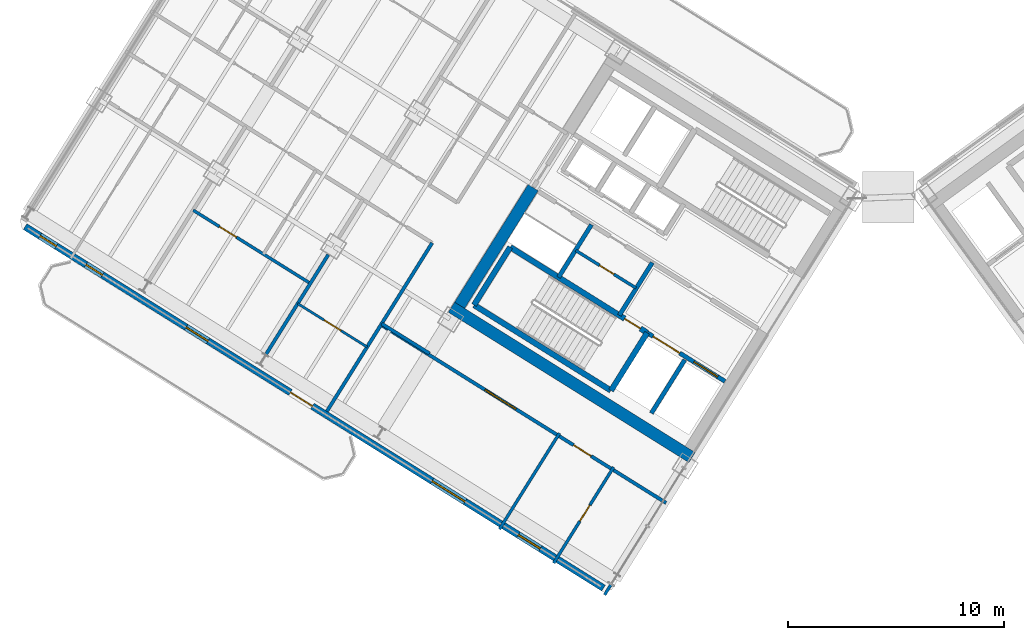
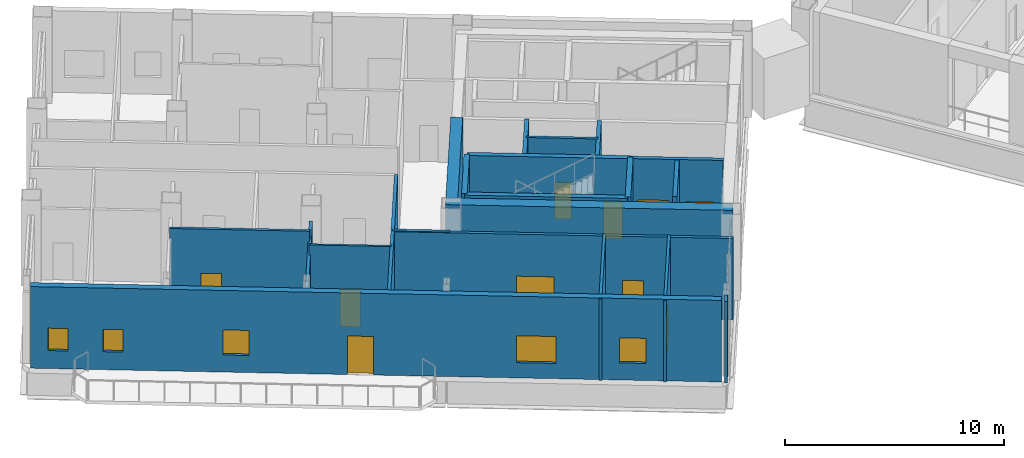
# One storey, part 12 of 22: 21 walls, 10 doors, 5 windows, 15 openings.
"""IFC4 building model written with IfcOpenShell, lengths in metres."""

import ifcopenshell
import ifcopenshell.guid

model = None  # the IFC model being written
_history = None  # IfcOwnerHistory: only IFC2X3 demands one
_inside = {}  # id of a spatial element -> (the spatial element, [elements in it])
_under = {}  # id of a project, library or spatial element -> (it, [spatial elements below it])
_declared = {}  # id of a project -> (the project, [libraries it declares])
_typed = {}  # id of a type object -> (the type object, [elements of that type])
_made_of = {}  # id of a material, layer set ... -> (it, [elements and type objects made of it])


def new_model(schema):
    """Start an empty IFC model of exactly this schema.

    Asked for "IFC4X3", IfcOpenShell would pick the latest addendum, in which some entities
    have other attributes; the version numbers below select the first issue.
    IFC2X3 requires an IfcOwnerHistory on every rooted entity: one is made here for all.
    """
    global model, _history
    if schema == "IFC4X3":
        model = ifcopenshell.file(schema_version=(4, 3, 0, 0))
    else:
        model = ifcopenshell.file(schema=schema)
    _inside.clear()
    _under.clear()
    _declared.clear()
    _typed.clear()
    _made_of.clear()
    _history = None
    if model.schema == "IFC2X3":
        org = make("IfcOrganization", Name="unknown")
        user = make(
            "IfcPersonAndOrganization",
            ThePerson=make("IfcPerson", FamilyName="unknown"),
            TheOrganization=org,
        )
        app = make(
            "IfcApplication",
            ApplicationDeveloper=org,
            Version="unknown",
            ApplicationFullName="unknown",
            ApplicationIdentifier="unknown",
        )
        _history = make(
            "IfcOwnerHistory",
            OwningUser=user,
            OwningApplication=app,
            ChangeAction="ADDED",
            CreationDate=0,
        )
    return model


def make(cls, **values):
    """One entity of the class cls with the attributes given. An attribute that is None is left unset."""
    return model.create_entity(
        cls, **{name: value for name, value in values.items() if value is not None}
    )


def rooted(cls, **values):
    """An entity with a GlobalId (a new one), such as an element, a storey or a relation."""
    return make(cls, GlobalId=ifcopenshell.guid.new(), OwnerHistory=_history, **values)


def si_unit(unit_type, name, prefix=None):
    """IfcSIUnit, for example si_unit("LENGTHUNIT", "METRE", prefix="MILLI")."""
    return make("IfcSIUnit", UnitType=unit_type, Prefix=prefix, Name=name)


def assignment(units):
    """IfcUnitAssignment: the units of a project."""
    return None if units is None else make("IfcUnitAssignment", Units=units)


def point(xyz):
    """IfcCartesianPoint."""
    return None if xyz is None else make("IfcCartesianPoint", Coordinates=xyz)


def direction(xyz):
    """IfcDirection."""
    return None if xyz is None else make("IfcDirection", DirectionRatios=xyz)


def frame(location, z_axis=None, x_axis=None):
    """IfcAxis2Placement3D, a coordinate frame: its origin and axes. An axis left out is left unset."""
    return make(
        "IfcAxis2Placement3D",
        Location=point(location),
        Axis=direction(z_axis),
        RefDirection=direction(x_axis),
    )


def frame_2d(location, x_axis=None):
    """IfcAxis2Placement2D, a coordinate frame in the plane: its origin and x axis."""
    return make(
        "IfcAxis2Placement2D", Location=point(location), RefDirection=direction(x_axis)
    )


def origin():
    """The frame at (0, 0, 0) with its axes left unset."""
    return frame((0.0, 0.0, 0.0))


def place(relative_to, where):
    """IfcLocalPlacement: puts the frame where relative to a parent placement (None: the world)."""
    return make(
        "IfcLocalPlacement", PlacementRelTo=relative_to, RelativePlacement=where
    )


def context(
    kind, dimensions, precision=None, world=None, true_north=None, identifier=None
):
    """IfcGeometricRepresentationContext, for example the 3D "Model" context."""
    return make(
        "IfcGeometricRepresentationContext",
        ContextIdentifier=identifier,
        ContextType=kind,
        CoordinateSpaceDimension=dimensions,
        Precision=precision,
        WorldCoordinateSystem=world,
        TrueNorth=true_north,
    )


def subcontext(parent, identifier, kind, view, scale=None):
    """IfcGeometricRepresentationSubContext, for example "Body" below "Model"."""
    return make(
        "IfcGeometricRepresentationSubContext",
        ContextIdentifier=identifier,
        ContextType=kind,
        ParentContext=parent,
        TargetScale=scale,
        TargetView=view,
    )


def project(units=None, contexts=None):
    """IfcProject with its units and contexts."""
    return rooted(
        "IfcProject",
        Name="project",
        RepresentationContexts=contexts,
        UnitsInContext=assignment(units),
    )


def spatial(cls, under=None, at=None, **own):
    """A site, building, storey or space (cls), placed at a placement, below another one or the project."""
    s = rooted(cls, ObjectPlacement=at, **own)
    if under is not None:
        _under.setdefault(under.id(), (under, []))[1].append(s)
    return s


def profile(cls, at=None, kind="AREA", **sizes):
    """A parametric profile (cls). Its sizes go by their IFC names, for example OverallWidth=200.0."""
    return make(cls, ProfileType=kind, Position=at, **sizes)


def rectangle(**sizes):
    """IfcRectangleProfileDef."""
    return profile("IfcRectangleProfileDef", **sizes)


def extrude(swept, where, along, depth):
    """IfcExtrudedAreaSolid: the profile swept, set in the frame where, extruded along a direction by depth."""
    return make(
        "IfcExtrudedAreaSolid",
        SweptArea=swept,
        Position=where,
        ExtrudedDirection=direction(along),
        Depth=depth,
    )


def shape(context_of_items, identifier, shape_type, items):
    """IfcShapeRepresentation: the items that make up one representation, for example the "Body"."""
    return make(
        "IfcShapeRepresentation",
        ContextOfItems=context_of_items,
        RepresentationIdentifier=identifier,
        RepresentationType=shape_type,
        Items=items,
    )


def source(mapping_origin, context_of_items, identifier, shape_type, items):
    """IfcRepresentationMap: a shape defined once, which mapped items show again and again."""
    return make(
        "IfcRepresentationMap",
        MappingOrigin=mapping_origin,
        MappedRepresentation=shape(context_of_items, identifier, shape_type, items),
    )


def transform(
    local_origin,
    x_axis=None,
    y_axis=None,
    z_axis=None,
    scale=None,
    scale2=None,
    scale3=None,
    uniform=True,
):
    """IfcCartesianTransformationOperator3D, or its non-uniform kind. x_axis, y_axis, z_axis: its Axis1, 2, 3."""
    if uniform:
        return make(
            "IfcCartesianTransformationOperator3D",
            Axis1=direction(x_axis),
            Axis2=direction(y_axis),
            LocalOrigin=point(local_origin),
            Scale=scale,
            Axis3=direction(z_axis),
        )
    return make(
        "IfcCartesianTransformationOperator3DnonUniform",
        Axis1=direction(x_axis),
        Axis2=direction(y_axis),
        LocalOrigin=point(local_origin),
        Scale=scale,
        Axis3=direction(z_axis),
        Scale2=scale2,
        Scale3=scale3,
    )


def mapped(mapping_source, mapping_target):
    """IfcMappedItem: shows the shape of a source again, moved by a transform."""
    return make(
        "IfcMappedItem", MappingSource=mapping_source, MappingTarget=mapping_target
    )


def material(Name=None, Category=None):
    """IfcMaterial."""
    return make("IfcMaterial", Name=Name, Category=Category)


def layer(
    of_material, thickness, ventilated=None, Name=None, Category=None, Priority=None
):
    """IfcMaterialLayer: one layer of a wall or slab, of a material (None: an air gap)."""
    return make(
        "IfcMaterialLayer",
        Material=of_material,
        LayerThickness=thickness,
        IsVentilated=ventilated,
        Name=Name,
        Category=Category,
        Priority=Priority,
    )


def layer_set(layers, Name=None):
    """IfcMaterialLayerSet."""
    return make("IfcMaterialLayerSet", MaterialLayers=layers, LayerSetName=Name)


def made_of(thing, what):
    """Note that an element or type object is made of a material, layer set ...; save() writes the relation."""
    if what is not None:
        _made_of.setdefault(what.id(), (what, []))[1].append(thing)
    return thing


def type_object(cls, material=None, **own):
    """A type object (cls), such as IfcWallType, which elements share."""
    return made_of(rooted(cls, **own), material)


def element(
    cls,
    number,
    at=None,
    inside=None,
    cuts=None,
    type_object=None,
    material=None,
    context=None,
    identifier="Body",
    shape_type=None,
    held_by="IfcProductDefinitionShape",
    body=None,
    shapes=None,
    **own,
):
    """One element of the class cls, such as IfcWall. Its Tag is "e" and its number.

    at: its placement. inside: the storey or other place that contains it. cuts: it is an
    opening in that element (IfcRelVoidsElement). A single representation is given by context,
    identifier, shape_type and body (its items); several are given by shapes. held_by: the class
    of the entity that holds the representations. save() writes the other relations.
    """
    e = rooted(cls, Tag="e%d" % number, ObjectPlacement=at, **own)
    if body is not None:
        shapes = [shape(context, identifier, shape_type, body)]
    if shapes is not None:
        e.Representation = make(held_by, Representations=shapes)
    if inside is not None:
        _inside.setdefault(inside.id(), (inside, []))[1].append(e)
    if cuts is not None:
        rooted(
            "IfcRelVoidsElement", RelatingBuildingElement=cuts, RelatedOpeningElement=e
        )
    if type_object is not None:
        _typed.setdefault(type_object.id(), (type_object, []))[1].append(e)
    return made_of(e, material)


def fill(opening, filler):
    """IfcRelFillsElement: the door or window that sits in an opening."""
    return rooted(
        "IfcRelFillsElement",
        RelatingOpeningElement=opening,
        RelatedBuildingElement=filler,
    )


def aggregate(whole, parts):
    """IfcRelAggregates: a whole, such as a stair, and the parts it consists of."""
    return rooted("IfcRelAggregates", RelatingObject=whole, RelatedObjects=parts)


def save(model, path):
    """Write the relations noted so far, then the file.

    IfcRelAggregates (storeys below a building ...), IfcRelContainedInSpatialStructure (elements
    in a storey), IfcRelDefinesByType, IfcRelAssociatesMaterial and IfcRelDeclares: one each for
    every whole, place, type object, material and project.
    """
    for whole, parts in _under.values():
        aggregate(whole, parts)
    for where, things in _inside.values():
        rooted(
            "IfcRelContainedInSpatialStructure",
            RelatedElements=things,
            RelatingStructure=where,
        )
    for kind, things in _typed.values():
        rooted("IfcRelDefinesByType", RelatedObjects=things, RelatingType=kind)
    for what, things in _made_of.values():
        rooted("IfcRelAssociatesMaterial", RelatedObjects=things, RelatingMaterial=what)
    for by, libraries in _declared.values():
        rooted("IfcRelDeclares", RelatingContext=by, RelatedDefinitions=libraries)
    model.write(path)


model = new_model("IFC4")

# Units and contexts
model_context = context("Model", 3, precision=1e-05, world=origin(), true_north=direction((0.0, 1.0)))
body_context = subcontext(model_context, "Body", "Model", "MODEL_VIEW")
ifc_project = project(units=[si_unit("LENGTHUNIT", "METRE"), si_unit("AREAUNIT", "SQUARE_METRE"), si_unit("VOLUMEUNIT", "CUBIC_METRE"), si_unit("PLANEANGLEUNIT", "RADIAN"), si_unit("MASSUNIT", "GRAM", prefix="KILO")], contexts=[model_context])

# Site, building, storey
site_placement = place(None, origin())
site = spatial("IfcSite", under=ifc_project, at=site_placement, CompositionType="ELEMENT")
building_placement = place(site_placement, origin())
building = spatial("IfcBuilding", under=site, at=building_placement, Name="Tlacorven Tower", CompositionType="ELEMENT")
storey_placement = place(building_placement, frame((0.0, 0.0, 127.800048828125)))
storey = spatial("IfcBuildingStorey", under=building, at=storey_placement, Name="L32", CompositionType="ELEMENT", Elevation=127.800048828125)

# Walls
ifc_material_1 = material(Name="Concrete C60/75", Category="concrete")
ifc_layer_1 = layer(ifc_material_1, 0.550048828125)
ifc_layer_set_1 = layer_set([ifc_layer_1], Name="Concrete C60/75")
wall_type_1 = type_object("IfcWallType", Name="WL-COR-550", PredefinedType="SHEAR", material=ifc_layer_set_1)
wall_1_placement = place(storey_placement, frame((33.3662109375, 12.4765625, 0.0), z_axis=(0.0, 0.0, 1.0), x_axis=(-0.848047359947, 0.529920442413, 0.0)))
element("IfcWall", 1, at=wall_1_placement, inside=storey, type_object=wall_type_1, Name="L32 W core shear wall S2", PredefinedType="SHEAR", context=body_context, shape_type="SweptSolid", body=[
    extrude(rectangle(XDim=13.139892578125, YDim=0.550048828125, at=frame_2d((6.56982421875, 0.0))), origin(), (0.0, 0.0, 1.0), 4.550048828125),
])
wall_2_placement = place(storey_placement, frame((26.006591796875, 24.975830078125, 0.0), z_axis=(0.0, 0.0, 1.0), x_axis=(-0.529923795287, -0.848045264823, 0.0)))
element("IfcWall", 2, at=wall_2_placement, inside=storey, type_object=wall_type_1, Name="L32 W core end wall E2.2", PredefinedType="SHEAR", context=body_context, shape_type="SweptSolid", body=[
    extrude(rectangle(XDim=6.425048828125, YDim=0.550048828125, at=frame_2d((3.21240234375, 0.0))), origin(), (0.0, 0.0, 1.0), 4.550048828125),
])
ifc_material_2 = material(Name="Gypsum plasterboard acoustic partition", Category="gypsum")
ifc_layer_2 = layer(ifc_material_2, 0.159912109375)
ifc_layer_set_2 = layer_set([ifc_layer_2], Name="Gypsum plasterboard acoustic partition")
wall_type_2 = type_object("IfcWallType", Name="WL-DEM-160", PredefinedType="PARTITIONING", material=ifc_layer_set_2)
wall_3_placement = place(storey_placement, frame((21.20556640625, 17.29248046875, 0.0), z_axis=(0.0, 0.0, 1.0), x_axis=(-0.848050851465, 0.529914854792, 0.0)))
element("IfcWall", 3, at=wall_3_placement, inside=storey, type_object=wall_type_2, Name="L32 partition 47", PredefinedType="PARTITIONING", context=body_context, shape_type="SweptSolid", body=[
    extrude(rectangle(XDim=2.60986328125, YDim=0.159912109375, at=frame_2d((1.304931640625, 0.0))), origin(), (0.0, 0.0, 1.0), 4.5400390625),
])
wall_4_placement = place(storey_placement, frame((21.3291015625, 22.41552734375, 0.0), z_axis=(0.0, 0.0, 1.0), x_axis=(-0.529920220799, -0.848047498427, 0.0)))
element("IfcWall", 4, at=wall_4_placement, inside=storey, type_object=wall_type_2, Name="L32 partition 49", PredefinedType="PARTITIONING", context=body_context, shape_type="SweptSolid", body=[
    extrude(rectangle(XDim=9.199951171875, YDim=0.159912109375, at=frame_2d((4.60009765625, 0.0))), origin(), (0.0, 0.0, 1.0), 4.5400390625),
])
wall_5_placement = place(storey_placement, frame((16.518798828125, 21.86962890625, 0.0), z_axis=(0.0, 0.0, 1.0), x_axis=(-0.529922447305, -0.848046107144, 0.0)))
element("IfcWall", 5, at=wall_5_placement, inside=storey, type_object=wall_type_2, Name="L32 WN Demising Wall 1", PredefinedType="PARTITIONING", context=body_context, shape_type="SweptSolid", body=[
    extrude(rectangle(XDim=5.451171875, YDim=0.159912109375, at=frame_2d((2.7255859375, 0.0))), origin(), (0.0, 0.0, 1.0), 3.974853515625),
])

# Wall, openings, doors
wall_6_placement = place(storey_placement, frame((32.164306640625, 10.373779296875, 0.0), z_axis=(0.0, 0.0, 1.0), x_axis=(-0.848044107957, 0.529925646633, 0.0)))
wall_6 = element("IfcWall", 6, at=wall_6_placement, inside=storey, type_object=wall_type_2, Name="L32 partition 71", PredefinedType="PARTITIONING", context=body_context, shape_type="SweptSolid", body=[
    extrude(rectangle(XDim=15.570068359375, YDim=0.159912109375, at=frame_2d((7.78515625, 0.0))), origin(), (0.0, 0.0, 1.0), 4.5400390625),
])
opening_1_placement = place(wall_6_placement, frame((4.10009765625, 0.0, 0.0)))
opening_1 = element("IfcOpeningElement", 7, at=opening_1_placement, cuts=wall_6, Name="Opening D14", PredefinedType="OPENING", context=body_context, shape_type="SweptSolid", body=[
    extrude(rectangle(XDim=0.9599609375, YDim=2.080078125, at=frame_2d((0.47998046875, 1.0400390625))), frame((0.0, 0.08984375, 0.0), z_axis=(0.0, -1.0, 0.0), x_axis=(1.0, 0.0, 0.0)), (0.0, 0.0, 1.0), 0.179931640625),
])
opening_2_placement = place(wall_6_placement, frame((8.199951171875, 0.0, 0.0)))
opening_2 = element("IfcOpeningElement", 8, at=opening_2_placement, cuts=wall_6, Name="Opening D17", PredefinedType="OPENING", context=body_context, shape_type="SweptSolid", body=[
    extrude(rectangle(XDim=1.699951171875, YDim=2.199951171875, at=frame_2d((0.85009765625, 1.10009765625))), frame((0.0, 0.08984375, 0.0), z_axis=(0.0, -1.0, 0.0), x_axis=(1.0, 0.0, 0.0)), (0.0, 0.0, 1.0), 0.179931640625),
])
ifc_material_3 = material(Name="Fire-rated steel door assembly", Category="steel")
door_type_1 = type_object("IfcDoorType", Name="DR-COM-HALL-1700", OperationType="DOUBLE_DOOR_SINGLE_SWING", PredefinedType="DOOR", material=ifc_material_3)
shared_shape_1 = source(origin(), body_context, "Body", "SweptSolid", [
    extrude(rectangle(XDim=1.699951171875, YDim=2.199951171875, at=frame_2d((0.85009765625, 1.10009765625))), frame((0.0, 0.02490234375, 0.0), z_axis=(0.0, -1.0, 0.0), x_axis=(1.0, 0.0, 0.0)), (0.0, 0.0, 1.0), 0.050048828125),
])
door_1_placement = place(opening_2_placement, origin())
door_1 = element("IfcDoor", 9, at=door_1_placement, inside=storey, type_object=door_type_1, Name="L32 door 047", OperationType="DOUBLE_DOOR_SINGLE_SWING", OverallHeight=2.199951171875, OverallWidth=1.699951171875, PredefinedType="DOOR", context=body_context, shape_type="MappedRepresentation", body=[
    mapped(shared_shape_1, transform((0.0, 0.0, 0.0), scale=1.0)),
])
fill(opening_2, door_1)
ifc_material_4 = material(Name="Powder-coated aluminium and timber door", Category="wood")
door_type_2 = type_object("IfcDoorType", Name="DR-INT-AWC-0960", OperationType="NOTDEFINED", PredefinedType="DOOR", material=ifc_material_4)
shared_shape_2 = source(origin(), body_context, "Body", "SweptSolid", [
    extrude(rectangle(XDim=0.9599609375, YDim=2.080078125, at=frame_2d((0.47998046875, 1.0400390625))), frame((0.0, 0.02490234375, 0.0), z_axis=(0.0, -1.0, 0.0), x_axis=(1.0, 0.0, 0.0)), (0.0, 0.0, 1.0), 0.050048828125),
])
door_2_placement = place(opening_1_placement, origin())
door_2 = element("IfcDoor", 10, at=door_2_placement, inside=storey, type_object=door_type_2, Name="L32 door 046", OperationType="SINGLE_SWING_LEFT", OverallHeight=2.080078125, OverallWidth=0.9599609375, PredefinedType="DOOR", context=body_context, shape_type="MappedRepresentation", body=[
    mapped(shared_shape_2, transform((0.0, 0.0, 0.0), scale=1.0)),
])
fill(opening_1, door_2)

# Wall, openings, door, windows
ifc_material_5 = material(Name="Precast concrete C45/55", Category="concrete")
ifc_layer_3 = layer(ifc_material_5, 0.320068359375)
ifc_layer_set_3 = layer_set([ifc_layer_3], Name="Precast concrete C45/55")
wall_type_3 = type_object("IfcWallType", Name="WL-EXT-320", PredefinedType="STANDARD", material=ifc_layer_set_3)
wall_7_placement = place(storey_placement, frame((29.267822265625, 6.429443359375, 0.0), z_axis=(0.0, 0.0, 1.0), x_axis=(-0.848049971435, 0.529916263149, 0.0)))
wall_7 = element("IfcWall", 11, at=wall_7_placement, inside=storey, type_object=wall_type_3, Name="L32 Masonry-Frame Recessed Facade Wall 1", PredefinedType="STANDARD", context=body_context, shape_type="SweptSolid", body=[
    extrude(rectangle(XDim=31.587646484375, YDim=0.320068359375, at=frame_2d((15.7939453125, 0.0))), origin(), (0.0, 0.0, 1.0), 4.550048828125),
])
opening_3_placement = place(wall_7_placement, frame((15.901123046875, 0.0, 0.0)))
opening_3 = element("IfcOpeningElement", 12, at=opening_3_placement, cuts=wall_7, Name="Opening D05", PredefinedType="OPENING", context=body_context, shape_type="SweptSolid", body=[
    extrude(rectangle(XDim=1.199951171875, YDim=2.14990234375, at=frame_2d((0.60009765625, 1.074951171875))), frame((0.0, 0.169921875, 0.0), z_axis=(0.0, -1.0, 0.0), x_axis=(1.0, 0.0, 0.0)), (0.0, 0.0, 1.0), 0.340087890625),
])
opening_4_placement = place(wall_7_placement, frame((3.45361328125, 0.0, 0.949951171875)))
opening_4 = element("IfcOpeningElement", 13, at=opening_4_placement, cuts=wall_7, Name="Opening WN03", PredefinedType="OPENING", context=body_context, shape_type="SweptSolid", body=[
    extrude(rectangle(XDim=1.199951171875, YDim=1.39990234375, at=frame_2d((0.60009765625, 0.699951171875))), frame((0.0, 0.169921875, 0.0), z_axis=(0.0, -1.0, 0.0), x_axis=(1.0, 0.0, 0.0)), (0.0, 0.0, 1.0), 0.340087890625),
])
opening_5_placement = place(wall_7_placement, frame((7.561279296875, 0.0, 0.85009765625)))
opening_5 = element("IfcOpeningElement", 14, at=opening_5_placement, cuts=wall_7, Name="Opening WN01", PredefinedType="OPENING", context=body_context, shape_type="SweptSolid", body=[
    extrude(rectangle(XDim=1.800048828125, YDim=1.5, at=frame_2d((0.89990234375, 0.75))), frame((0.0, 0.169921875, 0.0), z_axis=(0.0, -1.0, 0.0), x_axis=(1.0, 0.0, 0.0)), (0.0, 0.0, 1.0), 0.340087890625),
])
opening_6_placement = place(wall_7_placement, frame((21.59375, 0.0, 0.949951171875)))
opening_6 = element("IfcOpeningElement", 15, at=opening_6_placement, cuts=wall_7, Name="Opening WN03", PredefinedType="OPENING", context=body_context, shape_type="SweptSolid", body=[
    extrude(rectangle(XDim=1.199951171875, YDim=1.39990234375, at=frame_2d((0.60009765625, 0.699951171875))), frame((0.0, 0.169921875, 0.0), z_axis=(0.0, -1.0, 0.0), x_axis=(1.0, 0.0, 0.0)), (0.0, 0.0, 1.0), 0.340087890625),
])
opening_7_placement = place(wall_7_placement, frame((29.878173828125, 0.0, 1.0)))
opening_7 = element("IfcOpeningElement", 16, at=opening_7_placement, cuts=wall_7, Name="Opening WN05", PredefinedType="OPENING", context=body_context, shape_type="SweptSolid", body=[
    extrude(rectangle(XDim=0.89990234375, YDim=1.25, at=frame_2d((0.449951171875, 0.625))), frame((0.0, 0.169921875, 0.0), z_axis=(0.0, -1.0, 0.0), x_axis=(1.0, 0.0, 0.0)), (0.0, 0.0, 1.0), 0.340087890625),
])
opening_8_placement = place(wall_7_placement, frame((27.36376953125, 0.0, 1.0)))
opening_8 = element("IfcOpeningElement", 17, at=opening_8_placement, cuts=wall_7, Name="Opening WN05", PredefinedType="OPENING", context=body_context, shape_type="SweptSolid", body=[
    extrude(rectangle(XDim=0.89990234375, YDim=1.25, at=frame_2d((0.449951171875, 0.625))), frame((0.0, 0.169921875, 0.0), z_axis=(0.0, -1.0, 0.0), x_axis=(1.0, 0.0, 0.0)), (0.0, 0.0, 1.0), 0.340087890625),
])
door_type_3 = type_object("IfcDoorType", Name="DR-EXT-BALC-1200", OperationType="NOTDEFINED", PredefinedType="DOOR", material=ifc_material_4)
shared_shape_3 = source(origin(), body_context, "Body", "SweptSolid", [
    extrude(rectangle(XDim=1.199951171875, YDim=2.14990234375, at=frame_2d((0.60009765625, 1.074951171875))), frame((0.0, 0.02490234375, 0.0), z_axis=(0.0, -1.0, 0.0), x_axis=(1.0, 0.0, 0.0)), (0.0, 0.0, 1.0), 0.050048828125),
])
door_3_placement = place(opening_3_placement, origin())
door_3 = element("IfcDoor", 18, at=door_3_placement, inside=storey, type_object=door_type_3, Name="L32 Outdoor Access Door BAL-L32-W-OUT", OperationType="SINGLE_SWING_LEFT", OverallHeight=2.14990234375, OverallWidth=1.199951171875, PredefinedType="DOOR", context=body_context, shape_type="MappedRepresentation", body=[
    mapped(shared_shape_3, transform((0.0, 0.0, 0.0), scale=1.0)),
])
fill(opening_3, door_3)
ifc_material_6 = material(Name="Dark solar low-E double glazing in anodised aluminium frame", Category="aluminium")
window_type_1 = type_object("IfcWindowType", Name="WN-APT-1200X1500", PartitioningType="SINGLE_PANEL", PredefinedType="WINDOW", material=ifc_material_6)
shared_shape_4 = source(origin(), body_context, "Body", "SweptSolid", [
    extrude(rectangle(XDim=1.199951171875, YDim=1.39990234375, at=frame_2d((0.60009765625, 0.699951171875))), frame((0.0, 0.030029296875, 0.0), z_axis=(0.0, -1.0, 0.0), x_axis=(1.0, 0.0, 0.0)), (0.0, 0.0, 1.0), 0.06005859375),
])
window_1_placement = place(opening_4_placement, origin())
window_1 = element("IfcWindow", 19, at=window_1_placement, inside=storey, type_object=window_type_1, Name="L32 Recessed Masonry-Frame Window L32-01.1", OverallHeight=1.39990234375, OverallWidth=1.199951171875, PartitioningType="SINGLE_PANEL", PredefinedType="WINDOW", context=body_context, shape_type="MappedRepresentation", body=[
    mapped(shared_shape_4, transform((0.0, 0.0, 0.0), scale=1.0)),
])
fill(opening_4, window_1)
window_2_placement = place(opening_6_placement, origin())
window_2 = element("IfcWindow", 20, at=window_2_placement, inside=storey, type_object=window_type_1, Name="L32 Recessed Masonry-Frame Window L32-01.3", OverallHeight=1.39990234375, OverallWidth=1.199951171875, PartitioningType="SINGLE_PANEL", PredefinedType="WINDOW", context=body_context, shape_type="MappedRepresentation", body=[
    mapped(shared_shape_4, transform((0.0, 0.0, 0.0), scale=1.0)),
])
fill(opening_6, window_2)
window_type_2 = type_object("IfcWindowType", Name="WN-APT-1800X1650", PartitioningType="SINGLE_PANEL", PredefinedType="WINDOW", material=ifc_material_6)
shared_shape_5 = source(origin(), body_context, "Body", "SweptSolid", [
    extrude(rectangle(XDim=1.800048828125, YDim=1.5, at=frame_2d((0.89990234375, 0.75))), frame((0.0, 0.030029296875, 0.0), z_axis=(0.0, -1.0, 0.0), x_axis=(1.0, 0.0, 0.0)), (0.0, 0.0, 1.0), 0.06005859375),
])
window_3_placement = place(opening_5_placement, origin())
window_3 = element("IfcWindow", 21, at=window_3_placement, inside=storey, type_object=window_type_2, Name="L32 Recessed Masonry-Frame Window L32-01.2", OverallHeight=1.5, OverallWidth=1.800048828125, PartitioningType="SINGLE_PANEL", PredefinedType="WINDOW", context=body_context, shape_type="MappedRepresentation", body=[
    mapped(shared_shape_5, transform((0.0, 0.0, 0.0), scale=1.0)),
])
fill(opening_5, window_3)
window_type_3 = type_object("IfcWindowType", Name="WN-APT-0900X1350", PartitioningType="SINGLE_PANEL", PredefinedType="WINDOW", material=ifc_material_6)
shared_shape_6 = source(origin(), body_context, "Body", "SweptSolid", [
    extrude(rectangle(XDim=0.89990234375, YDim=1.25, at=frame_2d((0.449951171875, 0.625))), frame((0.0, 0.030029296875, 0.0), z_axis=(0.0, -1.0, 0.0), x_axis=(1.0, 0.0, 0.0)), (0.0, 0.0, 1.0), 0.06005859375),
])
window_4_placement = place(opening_7_placement, origin())
window_4 = element("IfcWindow", 22, at=window_4_placement, inside=storey, type_object=window_type_3, Name="L32 Dwelling Daylight Window L32-U02-LIV", OverallHeight=1.25, OverallWidth=0.89990234375, PartitioningType="SINGLE_PANEL", PredefinedType="WINDOW", context=body_context, shape_type="MappedRepresentation", body=[
    mapped(shared_shape_6, transform((0.0, 0.0, 0.0), scale=1.0)),
])
fill(opening_7, window_4)
window_5_placement = place(opening_8_placement, origin())
window_5 = element("IfcWindow", 23, at=window_5_placement, inside=storey, type_object=window_type_3, Name="L32 Dwelling Daylight Window L32-U02-BD1", OverallHeight=1.25, OverallWidth=0.89990234375, PartitioningType="SINGLE_PANEL", PredefinedType="WINDOW", context=body_context, shape_type="MappedRepresentation", body=[
    mapped(shared_shape_6, transform((0.0, 0.0, 0.0), scale=1.0)),
])
fill(opening_8, window_5)

# Wall, opening, door
ifc_material_7 = material(Name="Gypsum plasterboard partition", Category="gypsum")
ifc_layer_4 = layer(ifc_material_7, 0.110107421875)
ifc_layer_set_4 = layer_set([ifc_layer_4], Name="Gypsum plasterboard partition")
wall_type_4 = type_object("IfcWallType", Name="WL-INT-110", PredefinedType="PARTITIONING", material=ifc_layer_set_4)
wall_8_placement = place(storey_placement, frame((18.318115234375, 17.596923828125, 0.0), z_axis=(0.0, 0.0, 1.0), x_axis=(-0.848059820872, 0.529900500304, 0.0)))
wall_8 = element("IfcWall", 24, at=wall_8_placement, inside=storey, type_object=wall_type_4, Name="L32 partition 54", PredefinedType="PARTITIONING", context=body_context, shape_type="SweptSolid", body=[
    extrude(rectangle(XDim=3.7900390625, YDim=0.110107421875, at=frame_2d((1.89501953125, 0.0))), origin(), (0.0, 0.0, 1.0), 4.5400390625),
])
opening_9_placement = place(wall_8_placement, frame((1.43505859375, 0.0, 0.0)))
opening_9 = element("IfcOpeningElement", 25, at=opening_9_placement, cuts=wall_8, Name="Opening D12", PredefinedType="OPENING", context=body_context, shape_type="SweptSolid", body=[
    extrude(rectangle(XDim=0.919921875, YDim=2.080078125, at=frame_2d((0.4599609375, 1.0400390625))), frame((0.0, 0.06494140625, 0.0), z_axis=(0.0, -1.0, 0.0), x_axis=(1.0, 0.0, 0.0)), (0.0, 0.0, 1.0), 0.130126953125),
])
door_type_4 = type_object("IfcDoorType", Name="DR-INT-ROOM-0920", OperationType="NOTDEFINED", PredefinedType="DOOR", material=ifc_material_4)
shared_shape_7 = source(origin(), body_context, "Body", "SweptSolid", [
    extrude(rectangle(XDim=0.919921875, YDim=2.080078125, at=frame_2d((0.4599609375, 1.0400390625))), frame((0.0, 0.02490234375, 0.0), z_axis=(0.0, -1.0, 0.0), x_axis=(1.0, 0.0, 0.0)), (0.0, 0.0, 1.0), 0.050048828125),
])
door_4_placement = place(opening_9_placement, origin())
door_4 = element("IfcDoor", 26, at=door_4_placement, inside=storey, type_object=door_type_4, Name="L32 door 026", OperationType="SINGLE_SWING_LEFT", OverallHeight=2.080078125, OverallWidth=0.919921875, PredefinedType="DOOR", context=body_context, shape_type="MappedRepresentation", body=[
    mapped(shared_shape_7, transform((0.0, 0.0, 0.0), scale=1.0)),
])
fill(opening_9, door_4)

ifc_material_8 = material(Name="Moisture-resistant gypsum plumbing wall", Category="gypsum")
ifc_layer_5 = layer(ifc_material_8, 0.139892578125)
ifc_layer_set_5 = layer_set([ifc_layer_5], Name="Moisture-resistant gypsum plumbing wall")
wall_type_5 = type_object("IfcWallType", Name="WL-PLM-140", PredefinedType="PLUMBINGWALL", material=ifc_layer_set_5)
wall_9_placement = place(storey_placement, frame((30.766357421875, 20.3271484375, 0.0), z_axis=(0.0, 0.0, 1.0), x_axis=(-0.848052663127, 0.529911955482, 0.0)))
wall_9 = element("IfcWall", 27, at=wall_9_placement, inside=storey, type_object=wall_type_5, Name="L32 partition 23", PredefinedType="PLUMBINGWALL", context=body_context, shape_type="SweptSolid", body=[
    extrude(rectangle(XDim=3.27978515625, YDim=0.139892578125, at=frame_2d((1.639892578125, 0.0))), origin(), (0.0, 0.0, 1.0), 4.5400390625),
])
opening_10_placement = place(wall_9_placement, frame((1.199951171875, 0.0, 0.0)))
opening_10 = element("IfcOpeningElement", 28, at=opening_10_placement, cuts=wall_9, Name="Opening D22", PredefinedType="OPENING", context=body_context, shape_type="SweptSolid", body=[
    extrude(rectangle(XDim=0.780029296875, YDim=2.050048828125, at=frame_2d((0.39013671875, 1.02490234375))), frame((0.0, 0.080078125, 0.0), z_axis=(0.0, -1.0, 0.0), x_axis=(1.0, 0.0, 0.0)), (0.0, 0.0, 1.0), 0.159912109375),
])
door_type_5 = type_object("IfcDoorType", Name="DR-INT-WET-0780", OperationType="NOTDEFINED", PredefinedType="DOOR", material=ifc_material_4)
shared_shape_8 = source(origin(), body_context, "Body", "SweptSolid", [
    extrude(rectangle(XDim=0.780029296875, YDim=2.050048828125, at=frame_2d((0.39013671875, 1.02490234375))), frame((0.0, 0.02490234375, 0.0), z_axis=(0.0, -1.0, 0.0), x_axis=(1.0, 0.0, 0.0)), (0.0, 0.0, 1.0), 0.050048828125),
])
door_5_placement = place(opening_10_placement, origin())
door_5 = element("IfcDoor", 29, at=door_5_placement, inside=storey, type_object=door_type_5, Name="L32 door 011", OperationType="SINGLE_SWING_LEFT", OverallHeight=2.050048828125, OverallWidth=0.780029296875, PredefinedType="DOOR", context=body_context, shape_type="MappedRepresentation", body=[
    mapped(shared_shape_8, transform((0.0, 0.0, 0.0), scale=1.0)),
])
fill(opening_10, door_5)

wall_10_placement = place(storey_placement, frame((15.68798828125, 20.539794921875, 0.0), z_axis=(0.0, 0.0, 1.0), x_axis=(-0.848049732085, 0.529916646191, 0.0)))
wall_10 = element("IfcWall", 30, at=wall_10_placement, inside=storey, type_object=wall_type_5, Name="L32 partition 56", PredefinedType="PLUMBINGWALL", context=body_context, shape_type="SweptSolid", body=[
    extrude(rectangle(XDim=6.400146484375, YDim=0.139892578125, at=frame_2d((3.2001953125, 0.0))), origin(), (0.0, 0.0, 1.0), 4.5400390625),
])
opening_11_placement = place(wall_10_placement, frame((4.0400390625, 0.0, 0.0)))
opening_11 = element("IfcOpeningElement", 31, at=opening_11_placement, cuts=wall_10, Name="Opening D12", PredefinedType="OPENING", context=body_context, shape_type="SweptSolid", body=[
    extrude(rectangle(XDim=0.919921875, YDim=2.080078125, at=frame_2d((0.4599609375, 1.0400390625))), frame((0.0, 0.080078125, 0.0), z_axis=(0.0, -1.0, 0.0), x_axis=(1.0, 0.0, 0.0)), (0.0, 0.0, 1.0), 0.159912109375),
])
door_6_placement = place(opening_11_placement, origin())
door_6 = element("IfcDoor", 32, at=door_6_placement, inside=storey, type_object=door_type_4, Name="L32 door 028", OperationType="SINGLE_SWING_LEFT", OverallHeight=2.080078125, OverallWidth=0.919921875, PredefinedType="DOOR", context=body_context, shape_type="MappedRepresentation", body=[
    mapped(shared_shape_7, transform((0.0, 0.0, 0.0), scale=1.0)),
])
fill(opening_11, door_6)

wall_11_placement = place(storey_placement, frame((29.734619140625, 12.03369140625, 0.0), z_axis=(0.0, 0.0, 1.0), x_axis=(-0.529890046623, -0.848066352646, 0.0)))
wall_11 = element("IfcWall", 33, at=wall_11_placement, inside=storey, type_object=wall_type_5, Name="L32 partition 73", PredefinedType="PLUMBINGWALL", context=body_context, shape_type="SweptSolid", body=[
    extrude(rectangle(XDim=5.239990234375, YDim=0.139892578125, at=frame_2d((2.6201171875, 0.0))), origin(), (0.0, 0.0, 1.0), 4.5400390625),
])
opening_12_placement = place(wall_11_placement, frame((2.070068359375, 0.0, 0.0)))
opening_12 = element("IfcOpeningElement", 34, at=opening_12_placement, cuts=wall_11, Name="Opening D13", PredefinedType="OPENING", context=body_context, shape_type="SweptSolid", body=[
    extrude(rectangle(XDim=0.8798828125, YDim=2.080078125, at=frame_2d((0.43994140625, 1.0400390625))), frame((0.0, 0.080078125, 0.0), z_axis=(0.0, -1.0, 0.0), x_axis=(1.0, 0.0, 0.0)), (0.0, 0.0, 1.0), 0.159912109375),
])
door_type_6 = type_object("IfcDoorType", Name="DR-INT-WET-0880", OperationType="NOTDEFINED", PredefinedType="DOOR", material=ifc_material_4)
shared_shape_9 = source(origin(), body_context, "Body", "SweptSolid", [
    extrude(rectangle(XDim=0.8798828125, YDim=2.080078125, at=frame_2d((0.43994140625, 1.0400390625))), frame((0.0, 0.02490234375, 0.0), z_axis=(0.0, -1.0, 0.0), x_axis=(1.0, 0.0, 0.0)), (0.0, 0.0, 1.0), 0.050048828125),
])
door_7_placement = place(opening_12_placement, origin())
door_7 = element("IfcDoor", 35, at=door_7_placement, inside=storey, type_object=door_type_6, Name="L32 door 045", OperationType="SINGLE_SWING_RIGHT", OverallHeight=2.080078125, OverallWidth=0.8798828125, PredefinedType="DOOR", context=body_context, shape_type="MappedRepresentation", body=[
    mapped(shared_shape_9, transform((0.0, 0.0, 0.0), scale=1.0)),
])
fill(opening_12, door_7)

# Walls
wall_12_placement = place(storey_placement, frame((29.608642578125, 6.585693359375, 0.0), z_axis=(0.0, 0.0, 1.0), x_axis=(-0.530117963224, -0.847923902875, 0.0)))
element("IfcWall", 36, at=wall_12_placement, inside=storey, type_object=wall_type_5, Name="L32 partition 74", PredefinedType="PLUMBINGWALL", context=body_context, shape_type="SweptSolid", body=[
    extrude(rectangle(XDim=0.55322265625, YDim=0.139892578125, at=frame_2d((0.276611328125, 0.0))), origin(), (0.0, 0.0, 1.0), 4.5400390625),
])
wall_13_placement = place(storey_placement, frame((27.224609375, 13.60205078125, 0.0), z_axis=(0.0, 0.0, 1.0), x_axis=(-0.529944493599, -0.848032330577, 0.0)))
element("IfcWall", 37, at=wall_13_placement, inside=storey, type_object=wall_type_5, Name="L32 partition 75", PredefinedType="PLUMBINGWALL", context=body_context, shape_type="SweptSolid", body=[
    extrude(rectangle(XDim=5.239990234375, YDim=0.139892578125, at=frame_2d((2.6201171875, 0.0))), origin(), (0.0, 0.0, 1.0), 4.5400390625),
])

# Wall, openings, doors
ifc_material_9 = material(Name="Concrete C40/50", Category="concrete")
ifc_layer_6 = layer(ifc_material_9, 0.199951171875)
ifc_layer_set_6 = layer_set([ifc_layer_6], Name="Concrete C40/50")
wall_type_6 = type_object("IfcWallType", Name="WL-SHF-200", PredefinedType="STANDARD", material=ifc_layer_set_6)
wall_14_placement = place(storey_placement, frame((34.890625, 16.0048828125, 0.0), z_axis=(0.0, 0.0, 1.0), x_axis=(-0.848062873452, 0.529895614884, 0.0)))
wall_14 = element("IfcWall", 38, at=wall_14_placement, inside=storey, type_object=wall_type_6, Name="L32 Core W Firefighting Lift Shaft Front Wall", PredefinedType="STANDARD", context=body_context, shape_type="SweptSolid", body=[
    extrude(rectangle(XDim=4.248046875, YDim=0.199951171875, at=frame_2d((2.1240234375, 0.0))), origin(), (0.0, 0.0, 1.0), 4.5400390625),
])
opening_13_placement = place(wall_14_placement, frame((0.39794921875, 0.0, 0.0)))
opening_13 = element("IfcOpeningElement", 39, at=opening_13_placement, cuts=wall_14, Name="Opening LD03", PredefinedType="OPENING", context=body_context, shape_type="SweptSolid", body=[
    extrude(rectangle(XDim=1.300048828125, YDim=2.199951171875, at=frame_2d((0.64990234375, 1.10009765625))), frame((0.0, 0.10986328125, 0.0), z_axis=(0.0, -1.0, 0.0), x_axis=(1.0, 0.0, 0.0)), (0.0, 0.0, 1.0), 0.219970703125),
])
opening_14_placement = place(wall_14_placement, frame((2.472900390625, 0.0, 0.0)))
opening_14 = element("IfcOpeningElement", 40, at=opening_14_placement, cuts=wall_14, Name="Opening LD04", PredefinedType="OPENING", context=body_context, shape_type="SweptSolid", body=[
    extrude(rectangle(XDim=1.449951171875, YDim=2.25, at=frame_2d((0.72509765625, 1.125))), frame((0.0, 0.10986328125, 0.0), z_axis=(0.0, -1.0, 0.0), x_axis=(1.0, 0.0, 0.0)), (0.0, 0.0, 1.0), 0.219970703125),
])
door_type_7 = type_object("IfcDoorType", Name="DR-LFT-SLID-1300", OperationType="DOUBLE_DOOR_SLIDING", PredefinedType="DOOR", material=ifc_material_3)
shared_shape_10 = source(origin(), body_context, "Body", "SweptSolid", [
    extrude(rectangle(XDim=1.300048828125, YDim=2.199951171875, at=frame_2d((0.64990234375, 1.10009765625))), frame((0.0, 0.02490234375, 0.0), z_axis=(0.0, -1.0, 0.0), x_axis=(1.0, 0.0, 0.0)), (0.0, 0.0, 1.0), 0.050048828125),
])
door_8_placement = place(opening_13_placement, origin())
door_8 = element("IfcDoor", 41, at=door_8_placement, inside=storey, type_object=door_type_7, Name="L32 Lift FFL-W1 Sliding Landing Door", OperationType="DOUBLE_DOOR_SLIDING", OverallHeight=2.199951171875, OverallWidth=1.300048828125, PredefinedType="DOOR", context=body_context, shape_type="MappedRepresentation", body=[
    mapped(shared_shape_10, transform((0.0, 0.0, 0.0), scale=1.0)),
])
fill(opening_13, door_8)
door_type_8 = type_object("IfcDoorType", Name="DR-LFT-SLID-1450", OperationType="DOUBLE_DOOR_SLIDING", PredefinedType="DOOR", material=ifc_material_3)
shared_shape_11 = source(origin(), body_context, "Body", "SweptSolid", [
    extrude(rectangle(XDim=1.449951171875, YDim=2.25, at=frame_2d((0.72509765625, 1.125))), frame((0.0, 0.02490234375, 0.0), z_axis=(0.0, -1.0, 0.0), x_axis=(1.0, 0.0, 0.0)), (0.0, 0.0, 1.0), 0.050048828125),
])
door_9_placement = place(opening_14_placement, origin())
door_9 = element("IfcDoor", 42, at=door_9_placement, inside=storey, type_object=door_type_8, Name="L32 Lift SVL-W1 Sliding Landing Door", OperationType="DOUBLE_DOOR_SLIDING", OverallHeight=2.25, OverallWidth=1.449951171875, PredefinedType="DOOR", context=body_context, shape_type="MappedRepresentation", body=[
    mapped(shared_shape_11, transform((0.0, 0.0, 0.0), scale=1.0)),
])
fill(opening_14, door_9)

# Walls
wall_15_placement = place(storey_placement, frame((33.02880859375, 17.003173828125, 0.0), z_axis=(0.0, 0.0, 1.0), x_axis=(-0.529916267533, -0.848049968695, 0.0)))
element("IfcWall", 43, at=wall_15_placement, inside=storey, type_object=wall_type_6, Name="L32 partition 14", PredefinedType="STANDARD", context=body_context, shape_type="SweptSolid", body=[
    extrude(rectangle(XDim=2.919921875, YDim=0.199951171875, at=frame_2d((1.4599609375, 0.0))), origin(), (0.0, 0.0, 1.0), 4.5400390625),
])
for number, where, z_axis, x_axis, name in (
    (44, (31.525146484375, 21.503662109375, 0.0), (0.0, 0.0, 1.0), (-0.529907497854, -0.848055448493, 0.0), "L32 partition 20"),
    (45, (28.709716796875, 23.26318359375, 0.0), (0.0, 0.0, 1.0), (-0.529907497854, -0.848055448493, 0.0), "L32 partition 21"),
):
    element("IfcWall", number, at=place(storey_placement, frame(where, z_axis=z_axis, x_axis=x_axis)), inside=storey, type_object=wall_type_6, Name=name, PredefinedType="STANDARD", context=body_context, shape_type="SweptSolid", body=[
        extrude(rectangle(XDim=2.8798828125, YDim=0.199951171875, at=frame_2d((1.43994140625, 0.0))), origin(), (0.0, 0.0, 1.0), 4.5400390625),
    ])
ifc_material_10 = material(Name="Concrete C50/60", Category="concrete")
ifc_layer_7 = layer(ifc_material_10, 0.260009765625)
ifc_layer_set_7 = layer_set([ifc_layer_7], Name="Concrete C50/60")
wall_type_7 = type_object("IfcWallType", Name="WL-STW-260", PredefinedType="SHEAR", material=ifc_layer_set_7)
wall_16_placement = place(storey_placement, frame((29.60498046875, 15.581298828125, 0.0), z_axis=(0.0, 0.0, 1.0), x_axis=(-0.848036911448, 0.529937163087, 0.0)))
element("IfcWall", 46, at=wall_16_placement, inside=storey, type_object=wall_type_7, Name="L32 Stair W1 Far Shear Wall", PredefinedType="SHEAR", context=body_context, shape_type="SweptSolid", body=[
    extrude(rectangle(XDim=7.4599609375, YDim=0.260009765625, at=frame_2d((3.72998046875, 0.0))), origin(), (0.0, 0.0, 1.0), 4.550048828125),
])

# Wall, opening, door
wall_17_placement = place(storey_placement, frame((31.279541015625, 18.26123046875, 0.0), z_axis=(0.0, 0.0, 1.0), x_axis=(-0.848051618787, 0.529913626805, 0.0)))
wall_17 = element("IfcWall", 47, at=wall_17_placement, inside=storey, type_object=wall_type_7, Name="L32 Stair W1 Lobby Shear Wall", PredefinedType="SHEAR", context=body_context, shape_type="SweptSolid", body=[
    extrude(rectangle(XDim=7.4599609375, YDim=0.260009765625, at=frame_2d((3.72998046875, 0.0))), origin(), (0.0, 0.0, 1.0), 4.550048828125),
])
opening_15_placement = place(wall_17_placement, frame((0.360107421875, 0.0, 0.0)))
opening_15 = element("IfcOpeningElement", 48, at=opening_15_placement, cuts=wall_17, Name="Opening D19", PredefinedType="OPENING", context=body_context, shape_type="SweptSolid", body=[
    extrude(rectangle(XDim=0.860107421875, YDim=2.050048828125, at=frame_2d((0.43017578125, 1.02490234375))), frame((0.0, 0.14013671875, 0.0), z_axis=(0.0, -1.0, 0.0), x_axis=(1.0, 0.0, 0.0)), (0.0, 0.0, 1.0), 0.280029296875),
])
door_type_9 = type_object("IfcDoorType", Name="DR-RSR-FD60-0860", OperationType="NOTDEFINED", PredefinedType="DOOR", material=ifc_material_3)
shared_shape_12 = source(origin(), body_context, "Body", "SweptSolid", [
    extrude(rectangle(XDim=0.860107421875, YDim=2.050048828125, at=frame_2d((0.43017578125, 1.02490234375))), frame((0.0, 0.02490234375, 0.0), z_axis=(0.0, -1.0, 0.0), x_axis=(1.0, 0.0, 0.0)), (0.0, 0.0, 1.0), 0.050048828125),
])
door_10_placement = place(opening_15_placement, frame((0.860107421875, 0.0, 0.0), z_axis=(0.0, 0.0, 1.0), x_axis=(-1.0, 0.0, 0.0)))
door_10 = element("IfcDoor", 49, at=door_10_placement, inside=storey, type_object=door_type_9, Name="L32 Exit Stair W1 Fire Door", OperationType="SINGLE_SWING_LEFT", OverallHeight=2.050048828125, OverallWidth=0.860107421875, PredefinedType="DOOR", context=body_context, shape_type="MappedRepresentation", body=[
    mapped(shared_shape_12, transform((0.0, 0.0, 0.0), scale=1.0)),
])
fill(opening_15, door_10)

# Walls
wall_18_placement = place(storey_placement, frame((31.2880859375, 18.255859375, 0.0), z_axis=(0.0, 0.0, 1.0), x_axis=(-0.529943379326, -0.848033026897, 0.0)))
element("IfcWall", 50, at=wall_18_placement, inside=storey, type_object=wall_type_7, Name="L32 Stair W1 West Shear Wall", PredefinedType="SHEAR", context=body_context, shape_type="SweptSolid", body=[
    extrude(rectangle(XDim=3.159912109375, YDim=0.260009765625, at=frame_2d((1.580078125, 0.0))), origin(), (0.0, 0.0, 1.0), 4.550048828125),
])
wall_19_placement = place(storey_placement, frame((24.944580078125, 22.2197265625, 0.0), z_axis=(0.0, 0.0, 1.0), x_axis=(-0.529908658664, -0.84805472316, 0.0)))
element("IfcWall", 51, at=wall_19_placement, inside=storey, type_object=wall_type_7, Name="L32 Stair W1 East Shear Wall", PredefinedType="SHEAR", context=body_context, shape_type="SweptSolid", body=[
    extrude(rectangle(XDim=3.16015625, YDim=0.260009765625, at=frame_2d((1.580078125, 0.0))), origin(), (0.0, 0.0, 1.0), 4.550048828125),
])

save(model, "model.ifc")
